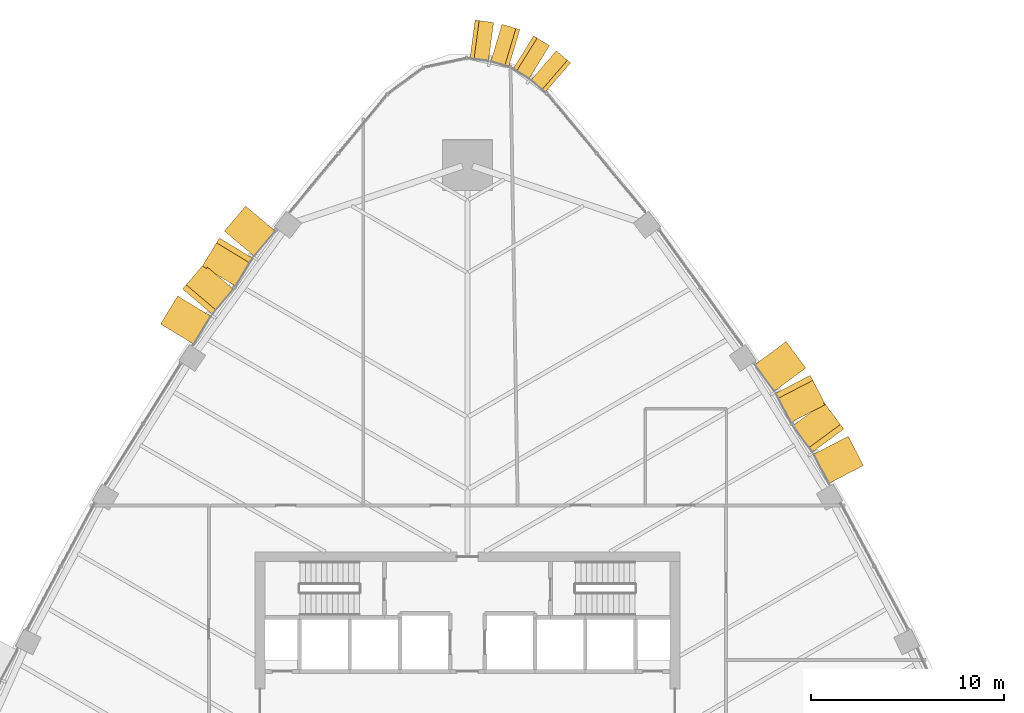
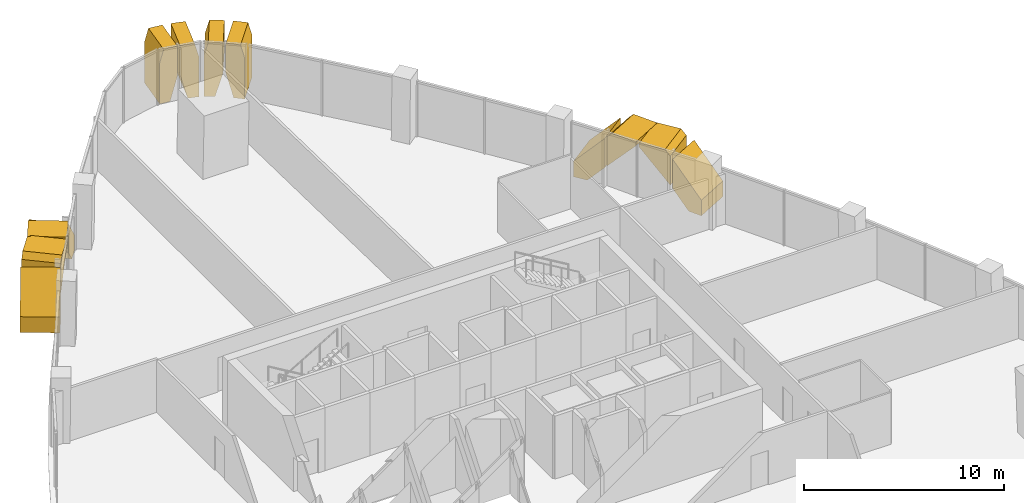
# One storey, part 16 of 17: 12 coverings.
"""IFC4 building model written with IfcOpenShell, lengths in metres."""

from ifc_helpers import new_model, si_unit, direction, frame, origin, place, context, subcontext, project, spatial, polyline, outline, extrude, material, layer, layer_set, type_object, element, save


model = new_model("IFC4")

# Units and contexts
model_context = context("Model", 3, precision=1e-05, world=origin(), true_north=direction((0.0, 1.0)))
body_context = subcontext(model_context, "Body", "Model", "MODEL_VIEW")
ifc_project = project(units=[si_unit("LENGTHUNIT", "METRE"), si_unit("AREAUNIT", "SQUARE_METRE"), si_unit("VOLUMEUNIT", "CUBIC_METRE"), si_unit("PLANEANGLEUNIT", "RADIAN"), si_unit("MASSUNIT", "GRAM", prefix="KILO")], contexts=[model_context])

# Site, building, storey
site_placement = place(None, origin())
site = spatial("IfcSite", under=ifc_project, at=site_placement, CompositionType="ELEMENT")
building_placement = place(site_placement, origin())
building = spatial("IfcBuilding", under=site, at=building_placement, Name="Sierra Prisma Convention Tower", CompositionType="ELEMENT")
storey_placement = place(building_placement, frame((0.0, 0.0, 153.800048828125)))
storey = spatial("IfcBuildingStorey", under=building, at=storey_placement, Name="L33", CompositionType="ELEMENT", Elevation=153.800048828125)

# Coverings
ifc_material = material(Name="Aluminium 6063-T6 bronze anodised", Category="aluminium")
ifc_layer = layer(ifc_material, 2.0)
ifc_layer_set = layer_set([ifc_layer], Name="Bronze crystal chevron frame")
covering_type = type_object("IfcCoveringType", Name="Bronze crystal chevron frame", PredefinedType="CLADDING", material=ifc_layer_set)
covering_1_placement = place(storey_placement, frame((20.51220703125, 12.466064453125, 0.0), z_axis=(0.887645796577, 0.460526804682, 4.4596557e-05), x_axis=(-0.46052680514, 0.88764579746, -7.207e-09)))
element("IfcCovering", 1, at=covering_1_placement, inside=storey, type_object=covering_type, Name="CW-2 chevron frame NE4.1.1", PredefinedType="CLADDING", context=body_context, shape_type="SweptSolid", body=[
    extrude(outline(polyline([(0.0, 0.0), (0.753554217564214, -1.6940658945086007e-21), (1.7069399660310527, 1.0407714977110611), (1.7069399532278744, 2.8173828240693517), (-6.873988941736227e-09, 0.9538574209264589), (0.0, 0.0)])), origin(), (0.0, 0.0, -1.0), 2.0),
])
covering_2_placement = place(storey_placement, frame((19.49169921875, 14.357666015625, 2.959228515625), z_axis=(0.804564124487, 0.593865782668, 4.2022346e-05), x_axis=(3.3809672e-05, 2.4955634e-05, -0.999999999117)))
element("IfcCovering", 2, at=covering_2_placement, inside=storey, type_object=covering_type, Name="CW-2 chevron frame NE4.1.2", PredefinedType="CLADDING", context=body_context, shape_type="SweptSolid", body=[
    extrude(outline(polyline([(0.0, 0.0), (1.776611326556361, 0.0), (-0.08691406298975511, 1.7068857265735826), (-0.3208007815332475, 1.7068857265735826), (-0.32080078508354093, 0.2938066670343795), (0.0, 0.0)])), origin(), (0.0, 0.0, -1.0), 2.0),
])
covering_3_placement = place(storey_placement, frame((18.543701171875, 15.625732421875, 3.280029296875), z_axis=(0.887601084767, 0.460612976224, 2.1327641e-05), x_axis=(1.8930438e-05, 9.823788e-06, -0.999999999773)))
element("IfcCovering", 3, at=covering_3_placement, inside=storey, type_object=covering_type, Name="CW-2 chevron frame NE4.2.1", PredefinedType="CLADDING", context=body_context, shape_type="SweptSolid", body=[
    extrude(outline(polyline([(0.0, 0.0), (0.2338867186968062, 0.0), (2.097412109043899, 1.7067232705100608), (0.3208007813229611, 1.7067232705100608), (-9.145117921537669e-10, 1.4129885176700527), (0.0, 0.0)])), origin(), (0.0, 0.0, -1.0), 2.0),
])
covering_4_placement = place(storey_placement, frame((16.50927734375, 18.890625, 0.0), z_axis=(0.804614269996, 0.593797841333, -1.2149586e-05), x_axis=(9.77573e-06, 7.214398e-06, 0.999999999926)))
element("IfcCovering", 4, at=covering_4_placement, inside=storey, type_object=covering_type, Name="CW-2 chevron frame NE4.2.2", PredefinedType="CLADDING", context=body_context, shape_type="SweptSolid", body=[
    extrude(outline(polyline([(0.0, 0.0), (0.9538574218045994, -8.079486633111698e-22), (2.8173828124456906, 1.7070821583804434), (1.0407714844518154, 1.7070821583804434), (-4.0305114512488794e-10, 0.753684885268669), (0.0, 0.0)])), origin(), (0.0, 0.0, -1.0), 2.0),
])
covering_5_placement = place(storey_placement, frame((5.337646484375, 33.32568359375, 0.0), z_axis=(0.653834276709, 0.756637785587, -4.757858e-06), x_axis=(-0.756637785595, 0.653834276717, -4.95e-10)))
element("IfcCovering", 5, at=covering_5_placement, inside=storey, type_object=covering_type, Name="CW-2 chevron frame N1.1.1", PredefinedType="CLADDING", context=body_context, shape_type="SweptSolid", body=[
    extrude(outline(polyline([(0.0, 0.0), (0.5620321310950696, 0.0), (0.9667147815078856, 1.4831542973920588), (0.9667147806186643, 3.280029297371721), (0.21325120645386866, 3.2800292967758113), (-1.2363316960863766e-09, 2.4982910155967226), (0.0, 0.0)])), origin(), (0.0, 0.0, -1.0), 2.0),
])
covering_6_placement = place(storey_placement, frame((4.2490234375, 34.220458984375, 3.280029296875), z_axis=(0.527424755337, 0.849601746383, 1.197243e-06), x_axis=(6.31455e-07, 1.017179e-06, -0.999999999999)))
element("IfcCovering", 6, at=covering_6_placement, inside=storey, type_object=covering_type, Name="CW-2 chevron frame N1.1.2", PredefinedType="CLADDING", context=body_context, shape_type="SweptSolid", body=[
    extrude(outline(polyline([(0.0, 0.0), (1.7968749999987124, 0.0), (3.28002929694866, 0.40492810585304473), (3.2800292968825135, 0.9669678199411864), (0.7817382812593038, 0.9669678199411864), (7.13010078454651e-11, 0.7534920118910851), (0.0, 0.0)])), origin(), (0.0, 0.0, -1.0), 2.0),
])
covering_7_placement = place(storey_placement, frame((2.711181640625, 35.052734375, 0.0), z_axis=(0.285839336075, 0.958277555798, -2.309226e-06), x_axis=(-0.958277555801, 0.285839336076, -1.5e-11)))
element("IfcCovering", 7, at=covering_7_placement, inside=storey, type_object=covering_type, Name="CW-2 chevron frame N2.1.1", PredefinedType="CLADDING", context=body_context, shape_type="SweptSolid", body=[
    extrude(outline(polyline([(0.0, 0.0), (0.562022112117837, 0.0), (0.9668538702663948, 1.4831542968911275), (0.966853870239459, 3.280029296886337), (0.213500103901052, 3.2800292968897655), (-3.7450127475668104e-11, 2.498291015618339), (0.0, 0.0)])), origin(), (0.0, 0.0, -1.0), 2.0),
])
covering_8_placement = place(storey_placement, frame((1.35107421875, 35.422119140625, 3.280029296875), z_axis=(0.132565164221, 0.991174291994, 1.1226346e-05), x_axis=(1.488222e-06, 1.1127266e-05, -0.999999999937)))
element("IfcCovering", 8, at=covering_8_placement, inside=storey, type_object=covering_type, Name="CW-2 chevron frame N2.1.2", PredefinedType="CLADDING", context=body_context, shape_type="SweptSolid", body=[
    extrude(outline(polyline([(0.0, 0.0), (1.7968749998867692, -3.8050308177439273e-22), (3.2800292970005325, 0.40494503717544705), (3.2800292968005067, 0.9667860858253104), (0.7817382813329379, 0.9667860858253104), (-3.4685442749958933e-10, 0.7534719998948518), (0.0, 0.0)])), origin(), (0.0, 0.0, -1.0), 2.0),
])
covering_9_placement = place(storey_placement, frame((-11.494873046875, 25.912353515625, 0.0), z_axis=(-0.76289393178, 0.646523663802, 3.1585244e-05), x_axis=(-0.646523664124, -0.762893932161, -3.631e-09)))
element("IfcCovering", 9, at=covering_9_placement, inside=storey, type_object=covering_type, Name="CW-2 chevron frame NW2.1.1", PredefinedType="CLADDING", context=body_context, shape_type="SweptSolid", body=[
    extrude(outline(polyline([(0.0, 0.0), (0.7521181346466674, 0.0), (1.69895357307, 1.0383300848109898), (1.698953566604939, 2.819091802672721), (-3.471845937240517e-09, 0.9562988276479849), (0.0, 0.0)])), origin(), (0.0, 0.0, -1.0), 2.0),
])
covering_10_placement = place(storey_placement, frame((-12.8525390625, 24.256591796875, 2.961669921875), z_axis=(-0.854637226935, 0.519225586617, 2.3207587e-05), x_axis=(-1.9834068e-05, 1.2049973e-05, -0.999999999731)))
element("IfcCovering", 10, at=covering_10_placement, inside=storey, type_object=covering_type, Name="CW-2 chevron frame NW2.1.2", PredefinedType="CLADDING", context=body_context, shape_type="SweptSolid", body=[
    extrude(outline(polyline([(0.0, 0.0), (1.781005858895382, -3.0171412842871684e-21), (-0.08203125014937515, 1.698850008521796), (-0.3183593750857329, 1.698850008521796), (-0.318359376172253, 0.29020351802466976), (0.0, 0.0)])), origin(), (0.0, 0.0, -1.0), 2.0),
])
covering_11_placement = place(storey_placement, frame((-13.661865234375, 22.9052734375, 3.280029296875), z_axis=(-0.762848685519, 0.646577050805, 1.9363864e-05), x_axis=(-1.4771698e-05, 1.252023e-05, -0.999999999813)))
element("IfcCovering", 11, at=covering_11_placement, inside=storey, type_object=covering_type, Name="CW-2 chevron frame NW2.2.1", PredefinedType="CLADDING", context=body_context, shape_type="SweptSolid", body=[
    extrude(outline(polyline([(0.0, 0.0), (0.2363281249556933, 0.0), (2.0993652341007834, 1.6987673280294344), (0.3183593750596859, 1.6987673280294344), (-7.564179735388408e-10, 1.4084544593631048), (0.0, 0.0)])), origin(), (0.0, 0.0, -1.0), 2.0),
])
covering_12_placement = place(storey_placement, frame((-15.9013671875, 19.797607421875, 0.0), z_axis=(-0.854707234981, 0.519110337321, 1.2545663e-05), x_axis=(1.0722869e-05, -6.512583e-06, 0.999999999921)))
element("IfcCovering", 12, at=covering_12_placement, inside=storey, type_object=covering_type, Name="CW-2 chevron frame NW2.2.2", PredefinedType="CLADDING", context=body_context, shape_type="SweptSolid", body=[
    extrude(outline(polyline([(0.0, 0.0), (0.9562988280497423, -8.1001661484255235e-22), (2.819091796816573, 1.6987232581503384), (1.0383300782067133, 1.6987232581503384), (-4.3079599360949393e-10, 0.7520755808896515), (0.0, 0.0)])), origin(), (0.0, 0.0, -1.0), 2.0),
])

save(model, "model.ifc")
